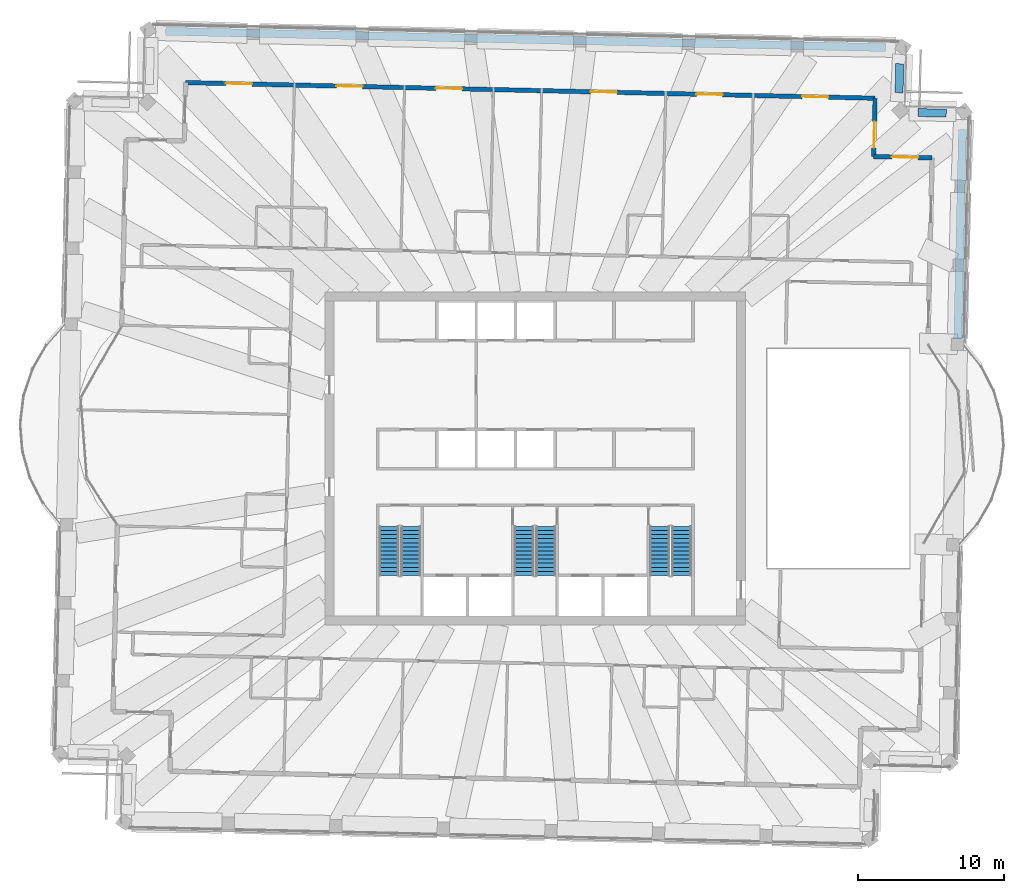
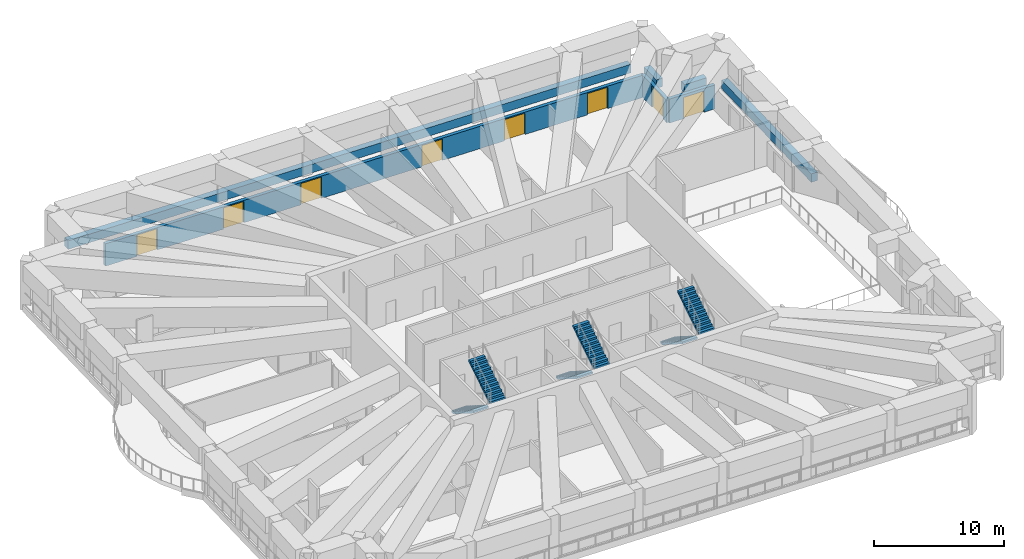
# One storey, part 14 of 21: 8 doors, 7 walls, 6 stair flights, 8 openings, 3 elements without a shape of their own.
"""IFC4 building model written with IfcOpenShell, lengths in metres."""

from ifc_helpers import new_model, si_unit, direction, frame, frame_2d, origin, place, context, subcontext, project, spatial, polyline, rectangle, outline, extrude, material, layer, layer_set, type_object, element, fill, aggregate, save


model = new_model("IFC4")

# Units and contexts
model_context = context("Model", 3, precision=1e-05, world=origin(), true_north=direction((0.0, 1.0)))
body_context = subcontext(model_context, "Body", "Model", "MODEL_VIEW")
ifc_project = project(units=[si_unit("LENGTHUNIT", "METRE"), si_unit("AREAUNIT", "SQUARE_METRE"), si_unit("VOLUMEUNIT", "CUBIC_METRE"), si_unit("PLANEANGLEUNIT", "RADIAN"), si_unit("MASSUNIT", "GRAM", prefix="KILO")], contexts=[model_context])

# Site, building, storey
site_placement = place(None, origin())
site = spatial("IfcSite", under=ifc_project, at=site_placement, CompositionType="ELEMENT")
building_placement = place(site_placement, origin())
building = spatial("IfcBuilding", under=site, at=building_placement, Name="Mangrove Gate Tower", CompositionType="ELEMENT")
storey_placement = place(building_placement, frame((0.0, 0.0, 329.699951171875)))
storey = spatial("IfcBuildingStorey", under=building, at=storey_placement, Name="L84", CompositionType="ELEMENT", Elevation=329.699951171875)

# Wall, opening, door
ifc_material_1 = material(Name="Limestone", Category="masonry")
ifc_layer_1 = layer(ifc_material_1, 0.0400390625, Name="Limestone cladding")
ifc_material_2 = material(Name="Ventilated air gap")
ifc_layer_2 = layer(ifc_material_2, 0.0400390625, Name="Ventilated cavity")
ifc_material_3 = material(Name="Mineral wool insulation")
ifc_layer_3 = layer(ifc_material_3, 0.06005859375, Name="Insulation")
ifc_material_4 = material(Name="Breather membrane")
ifc_layer_4 = layer(ifc_material_4, 0.001953125, Name="Breather membrane")
ifc_material_5 = material(Name="Concrete C20/25 blockwork", Category="masonry")
ifc_layer_5 = layer(ifc_material_5, 0.14990234375, Name="Blockwork backing wall")
ifc_material_6 = material(Name="Gypsum plaster")
ifc_layer_6 = layer(ifc_material_6, 0.008056640625, Name="Internal plaster")
ifc_layer_set_1 = layer_set([ifc_layer_1, ifc_layer_2, ifc_layer_3, ifc_layer_4, ifc_layer_5, ifc_layer_6], Name="External wall 300 limestone cladding")
wall_type_1 = type_object("IfcWallType", Name="External wall 300 limestone cladding", PredefinedType="SOLIDWALL", material=ifc_layer_set_1)
wall_1_placement = place(storey_placement, frame((27.18701171875, 20.60205078125, 0.0), z_axis=(0.0, 0.0, 1.0), x_axis=(-0.999740826251, 0.022765770952, 0.0)))
wall_1 = element("IfcWall", 1, at=wall_1_placement, inside=storey, type_object=wall_type_1, Name="WALL-L84-N3", PredefinedType="SOLIDWALL", context=body_context, shape_type="SweptSolid", body=[
    extrude(rectangle(XDim=4.0, YDim=0.300048828125, at=frame_2d((2.0, 0.0))), origin(), (0.0, 0.0, 1.0), 2.25),
])
opening_1_placement = place(wall_1_placement, frame((0.949951171875, 0.0, 0.0)))
opening_1 = element("IfcOpeningElement", 2, at=opening_1_placement, cuts=wall_1, Name="Opening TD2", PredefinedType="OPENING", context=body_context, shape_type="SweptSolid", body=[
    extrude(rectangle(XDim=1.800048828125, YDim=2.0, at=frame_2d((0.89990234375, 1.0))), frame((0.0, 0.159912109375, 0.0), z_axis=(0.0, -1.0, 0.0), x_axis=(1.0, 0.0, 0.0)), (0.0, 0.0, 1.0), 0.320068359375),
])
ifc_material_7 = material(Name="Aluminium frame with laminated clear glass", Category="aluminium")
door_type = type_object("IfcDoorType", Name="Terrace door 1800x2000", OperationType="DOUBLE_DOOR_SINGLE_SWING", PredefinedType="DOOR", material=ifc_material_7)
door_1_placement = place(opening_1_placement, origin())
door_1 = element("IfcDoor", 3, at=door_1_placement, inside=storey, type_object=door_type, Name="DOOR-L84-N3-1", OperationType="DOUBLE_DOOR_SINGLE_SWING", OverallHeight=2.0, OverallWidth=1.800048828125, PredefinedType="DOOR", context=body_context, shape_type="SweptSolid", body=[
    extrude(rectangle(XDim=1.800048828125, YDim=2.0, at=frame_2d((0.89990234375, 1.0))), frame((0.0, 0.02490234375, 0.0), z_axis=(0.0, -1.0, 0.0), x_axis=(1.0, 0.0, 0.0)), (0.0, 0.0, 1.0), 0.050048828125),
])
fill(opening_1, door_1)

wall_2_placement = place(storey_placement, frame((23.18798828125, 20.693115234375, 0.0), z_axis=(0.0, 0.0, 1.0), x_axis=(0.022772718728, 0.999740668014, 0.0)))
wall_2 = element("IfcWall", 4, at=wall_2_placement, inside=storey, type_object=wall_type_1, Name="WALL-L84-E4", PredefinedType="SOLIDWALL", context=body_context, shape_type="SweptSolid", body=[
    extrude(rectangle(XDim=3.998779296875, YDim=0.300048828125, at=frame_2d((1.99951171875, 0.0))), origin(), (0.0, 0.0, 1.0), 2.10009765625),
])
opening_2_placement = place(wall_2_placement, frame((0.59912109375, 0.0, 0.0)))
opening_2 = element("IfcOpeningElement", 5, at=opening_2_placement, cuts=wall_2, Name="Opening TD2", PredefinedType="OPENING", context=body_context, shape_type="SweptSolid", body=[
    extrude(rectangle(XDim=1.800048828125, YDim=2.0, at=frame_2d((0.89990234375, 1.0))), frame((0.0, 0.159912109375, 0.0), z_axis=(0.0, -1.0, 0.0), x_axis=(1.0, 0.0, 0.0)), (0.0, 0.0, 1.0), 0.320068359375),
])
door_2_placement = place(opening_2_placement, origin())
door_2 = element("IfcDoor", 6, at=door_2_placement, inside=storey, type_object=door_type, Name="DOOR-L84-E4-1", OperationType="DOUBLE_DOOR_SINGLE_SWING", OverallHeight=2.0, OverallWidth=1.800048828125, PredefinedType="DOOR", context=body_context, shape_type="SweptSolid", body=[
    extrude(rectangle(XDim=1.800048828125, YDim=2.0, at=frame_2d((0.89990234375, 1.0))), frame((0.0, 0.02490234375, 0.0), z_axis=(0.0, -1.0, 0.0), x_axis=(1.0, 0.0, 0.0)), (0.0, 0.0, 1.0), 0.050048828125),
])
fill(opening_2, door_2)

# Wall, openings, doors
wall_3_placement = place(storey_placement, frame((23.279052734375, 24.69091796875, 0.0), z_axis=(0.0, 0.0, 1.0), x_axis=(-0.9997425899, 0.022688189451, 0.0)))
wall_3 = element("IfcWall", 7, at=wall_3_placement, inside=storey, type_object=wall_type_1, Name="WALL-L84-N5", PredefinedType="SOLIDWALL", context=body_context, shape_type="SweptSolid", body=[
    extrude(rectangle(XDim=47.250244140625, YDim=0.300048828125, at=frame_2d((23.625, 0.0))), origin(), (0.0, 0.0, 1.0), 2.10009765625),
])
opening_3_placement = place(wall_3_placement, frame((3.199951171875, 0.0, 0.0)))
opening_3 = element("IfcOpeningElement", 8, at=opening_3_placement, cuts=wall_3, Name="Opening TD2", PredefinedType="OPENING", context=body_context, shape_type="SweptSolid", body=[
    extrude(rectangle(XDim=1.800048828125, YDim=2.0, at=frame_2d((0.89990234375, 1.0))), frame((0.0, 0.159912109375, 0.0), z_axis=(0.0, -1.0, 0.0), x_axis=(1.0, 0.0, 0.0)), (0.0, 0.0, 1.0), 0.320068359375),
])
opening_4_placement = place(wall_3_placement, frame((10.449951171875, 0.0, 0.0)))
opening_4 = element("IfcOpeningElement", 9, at=opening_4_placement, cuts=wall_3, Name="Opening TD2", PredefinedType="OPENING", context=body_context, shape_type="SweptSolid", body=[
    extrude(rectangle(XDim=1.800048828125, YDim=2.0, at=frame_2d((0.89990234375, 1.0))), frame((0.0, 0.159912109375, 0.0), z_axis=(0.0, -1.0, 0.0), x_axis=(1.0, 0.0, 0.0)), (0.0, 0.0, 1.0), 0.320068359375),
])
opening_5_placement = place(wall_3_placement, frame((17.699951171875, 0.0, 0.0)))
opening_5 = element("IfcOpeningElement", 10, at=opening_5_placement, cuts=wall_3, Name="Opening TD2", PredefinedType="OPENING", context=body_context, shape_type="SweptSolid", body=[
    extrude(rectangle(XDim=1.800048828125, YDim=2.0, at=frame_2d((0.89990234375, 1.0))), frame((0.0, 0.159912109375, 0.0), z_axis=(0.0, -1.0, 0.0), x_axis=(1.0, 0.0, 0.0)), (0.0, 0.0, 1.0), 0.320068359375),
])
opening_6_placement = place(wall_3_placement, frame((28.300048828125, 0.0, 0.0)))
opening_6 = element("IfcOpeningElement", 11, at=opening_6_placement, cuts=wall_3, Name="Opening TD2", PredefinedType="OPENING", context=body_context, shape_type="SweptSolid", body=[
    extrude(rectangle(XDim=1.800048828125, YDim=2.0, at=frame_2d((0.89990234375, 1.0))), frame((0.0, 0.159912109375, 0.0), z_axis=(0.0, -1.0, 0.0), x_axis=(1.0, 0.0, 0.0)), (0.0, 0.0, 1.0), 0.320068359375),
])
opening_7_placement = place(wall_3_placement, frame((35.125, 0.0, 0.0)))
opening_7 = element("IfcOpeningElement", 12, at=opening_7_placement, cuts=wall_3, Name="Opening TD2", PredefinedType="OPENING", context=body_context, shape_type="SweptSolid", body=[
    extrude(rectangle(XDim=1.800048828125, YDim=2.0, at=frame_2d((0.89990234375, 1.0))), frame((0.0, 0.159912109375, 0.0), z_axis=(0.0, -1.0, 0.0), x_axis=(1.0, 0.0, 0.0)), (0.0, 0.0, 1.0), 0.320068359375),
])
opening_8_placement = place(wall_3_placement, frame((42.699951171875, 0.0, 0.0)))
opening_8 = element("IfcOpeningElement", 13, at=opening_8_placement, cuts=wall_3, Name="Opening TD2", PredefinedType="OPENING", context=body_context, shape_type="SweptSolid", body=[
    extrude(rectangle(XDim=1.800048828125, YDim=2.0, at=frame_2d((0.89990234375, 1.0))), frame((0.0, 0.159912109375, 0.0), z_axis=(0.0, -1.0, 0.0), x_axis=(1.0, 0.0, 0.0)), (0.0, 0.0, 1.0), 0.320068359375),
])
door_3_placement = place(opening_3_placement, origin())
door_3 = element("IfcDoor", 14, at=door_3_placement, inside=storey, type_object=door_type, Name="DOOR-L84-N5-1", OperationType="DOUBLE_DOOR_SINGLE_SWING", OverallHeight=2.0, OverallWidth=1.800048828125, PredefinedType="DOOR", context=body_context, shape_type="SweptSolid", body=[
    extrude(rectangle(XDim=1.800048828125, YDim=2.0, at=frame_2d((0.89990234375, 1.0))), frame((0.0, 0.02490234375, 0.0), z_axis=(0.0, -1.0, 0.0), x_axis=(1.0, 0.0, 0.0)), (0.0, 0.0, 1.0), 0.050048828125),
])
fill(opening_3, door_3)
door_4_placement = place(opening_4_placement, origin())
door_4 = element("IfcDoor", 15, at=door_4_placement, inside=storey, type_object=door_type, Name="DOOR-L84-N5-2", OperationType="DOUBLE_DOOR_SINGLE_SWING", OverallHeight=2.0, OverallWidth=1.800048828125, PredefinedType="DOOR", context=body_context, shape_type="SweptSolid", body=[
    extrude(rectangle(XDim=1.800048828125, YDim=2.0, at=frame_2d((0.89990234375, 1.0))), frame((0.0, 0.02490234375, 0.0), z_axis=(0.0, -1.0, 0.0), x_axis=(1.0, 0.0, 0.0)), (0.0, 0.0, 1.0), 0.050048828125),
])
fill(opening_4, door_4)
door_5_placement = place(opening_5_placement, origin())
door_5 = element("IfcDoor", 16, at=door_5_placement, inside=storey, type_object=door_type, Name="DOOR-L84-N5-3", OperationType="DOUBLE_DOOR_SINGLE_SWING", OverallHeight=2.0, OverallWidth=1.800048828125, PredefinedType="DOOR", context=body_context, shape_type="SweptSolid", body=[
    extrude(rectangle(XDim=1.800048828125, YDim=2.0, at=frame_2d((0.89990234375, 1.0))), frame((0.0, 0.02490234375, 0.0), z_axis=(0.0, -1.0, 0.0), x_axis=(1.0, 0.0, 0.0)), (0.0, 0.0, 1.0), 0.050048828125),
])
fill(opening_5, door_5)
door_6_placement = place(opening_6_placement, origin())
door_6 = element("IfcDoor", 17, at=door_6_placement, inside=storey, type_object=door_type, Name="DOOR-L84-N5-4", OperationType="DOUBLE_DOOR_SINGLE_SWING", OverallHeight=2.0, OverallWidth=1.800048828125, PredefinedType="DOOR", context=body_context, shape_type="SweptSolid", body=[
    extrude(rectangle(XDim=1.800048828125, YDim=2.0, at=frame_2d((0.89990234375, 1.0))), frame((0.0, 0.02490234375, 0.0), z_axis=(0.0, -1.0, 0.0), x_axis=(1.0, 0.0, 0.0)), (0.0, 0.0, 1.0), 0.050048828125),
])
fill(opening_6, door_6)
door_7_placement = place(opening_7_placement, origin())
door_7 = element("IfcDoor", 18, at=door_7_placement, inside=storey, type_object=door_type, Name="DOOR-L84-N5-5", OperationType="DOUBLE_DOOR_SINGLE_SWING", OverallHeight=2.0, OverallWidth=1.800048828125, PredefinedType="DOOR", context=body_context, shape_type="SweptSolid", body=[
    extrude(rectangle(XDim=1.800048828125, YDim=2.0, at=frame_2d((0.89990234375, 1.0))), frame((0.0, 0.02490234375, 0.0), z_axis=(0.0, -1.0, 0.0), x_axis=(1.0, 0.0, 0.0)), (0.0, 0.0, 1.0), 0.050048828125),
])
fill(opening_7, door_7)
door_8_placement = place(opening_8_placement, origin())
door_8 = element("IfcDoor", 19, at=door_8_placement, inside=storey, type_object=door_type, Name="DOOR-L84-N5-6", OperationType="DOUBLE_DOOR_SINGLE_SWING", OverallHeight=2.0, OverallWidth=1.800048828125, PredefinedType="DOOR", context=body_context, shape_type="SweptSolid", body=[
    extrude(rectangle(XDim=1.800048828125, YDim=2.0, at=frame_2d((0.89990234375, 1.0))), frame((0.0, 0.02490234375, 0.0), z_axis=(0.0, -1.0, 0.0), x_axis=(1.0, 0.0, 0.0)), (0.0, 0.0, 1.0), 0.050048828125),
])
fill(opening_8, door_8)

# Walls
ifc_material_8 = material(Name="Concrete C32/40", Category="concrete")
ifc_layer_7 = layer(ifc_material_8, 0.199951171875, Name="Planter trough wall")
ifc_material_9 = material(Name="Bituminous waterproofing membrane")
ifc_layer_8 = layer(ifc_material_9, 0.0048828125, Name="Waterproofing")
ifc_material_10 = material(Name="Drainage board and gravel")
ifc_layer_9 = layer(ifc_material_10, 0.044921875, Name="Drainage layer")
ifc_material_11 = material(Name="Planting soil")
ifc_layer_10 = layer(ifc_material_11, 0.300048828125, Name="Growing medium")
ifc_layer_set_2 = layer_set([ifc_layer_7, ifc_layer_8, ifc_layer_9, ifc_layer_10], Name="Planter wall 550 C32/40")
wall_type_2 = type_object("IfcWallType", Name="Planter wall 550 C32/40", PredefinedType="USERDEFINED", material=ifc_layer_set_2)
wall_4_placement = place(storey_placement, frame((-25.3291015625, 29.280029296875, 0.0), z_axis=(0.0, 0.0, 1.0), x_axis=(0.999742379265, -0.022697469065, 0.0)))
element("IfcWall", 20, at=wall_4_placement, inside=storey, type_object=wall_type_2, Name="PLANTER L84 T1.3.6", ObjectType="PLANTER", PredefinedType="USERDEFINED", context=body_context, shape_type="SweptSolid", body=[
    extrude(rectangle(XDim=49.349853515625, YDim=0.550048828125, at=frame_2d((24.6748046875, 0.0))), origin(), (0.0, 0.0, 1.0), 0.800048828125),
])
wall_5_placement = place(storey_placement, frame((24.968017578125, 27.053955078125, 0.0), z_axis=(0.0, 0.0, 1.0), x_axis=(-0.022601425009, -0.999744555168, 0.0)))
element("IfcWall", 21, at=wall_5_placement, inside=storey, type_object=wall_type_2, Name="PLANTER L84 T1.4.6", ObjectType="PLANTER", PredefinedType="USERDEFINED", context=body_context, shape_type="SweptSolid", body=[
    extrude(rectangle(XDim=1.987548828125, YDim=0.550048828125, at=frame_2d((0.99365234375, 0.0))), origin(), (0.0, 0.0, 1.0), 0.800048828125),
])
wall_6_placement = place(storey_placement, frame((26.219970703125, 23.7099609375, 0.0), z_axis=(0.0, 0.0, 1.0), x_axis=(0.999742745482, -0.022681332769, 0.0)))
element("IfcWall", 22, at=wall_6_placement, inside=storey, type_object=wall_type_2, Name="PLANTER L84 T1.4.9", ObjectType="PLANTER", PredefinedType="USERDEFINED", context=body_context, shape_type="SweptSolid", body=[
    extrude(rectangle(XDim=1.9375, YDim=0.550048828125, at=frame_2d((0.96875, 0.0))), origin(), (0.0, 0.0, 1.0), 0.800048828125),
])
wall_7_placement = place(storey_placement, frame((29.26708984375, 22.554931640625, 0.0), z_axis=(0.0, 0.0, 1.0), x_axis=(-0.022711365364, -0.999742063676, 0.0)))
element("IfcWall", 23, at=wall_7_placement, inside=storey, type_object=wall_type_2, Name="PLANTER L84 T1.5.6", ObjectType="PLANTER", PredefinedType="USERDEFINED", context=body_context, shape_type="SweptSolid", body=[
    extrude(rectangle(XDim=14.361572265625, YDim=0.550048828125, at=frame_2d((7.1806640625, 0.0))), origin(), (0.0, 0.0, 1.0), 0.800048828125),
])

# Stair, stair flights
ifc_material_12 = material(Name="Concrete C40/50", Category="concrete")
stair_type = type_object("IfcStairType", Name="Core stair 1350", PredefinedType="HALF_TURN_STAIR", material=ifc_material_12)
stair_1_placement = place(storey_placement, origin())
stair_1 = element("IfcStair", 24, at=stair_1_placement, inside=storey, type_object=stair_type, Name="L84 Stair 1", PredefinedType="HALF_TURN_STAIR")
ifc_material_13 = material(Name="Concrete C40/50", Category="concrete")
stair_flight_type = type_object("IfcStairFlightType", Name="Core stair flight 1350", PredefinedType="STRAIGHT", material=ifc_material_13)
stair_flight_1_placement = place(storey_placement, frame((-10.02490234375, -4.64990234375, 0.0), z_axis=(0.0, 0.0, 1.0), x_axis=(0.0, -1.0, 0.0)))
stair_flight_1 = element("IfcStairFlight", 25, at=stair_flight_1_placement, type_object=stair_flight_type, Name="ST1 flight 1", NumberOfRisers=13, NumberOfTreads=12, PredefinedType="STRAIGHT", RiserHeight=0.176923077, TreadLength=0.28, context=body_context, shape_type="SweptSolid", body=[
    extrude(outline(polyline([(0.0, 0.0), (0.0, 0.177001953125), (0.280029296875, 0.177001953125), (0.280029296875, 0.353759765625), (0.56005859375, 0.353759765625), (0.56005859375, 0.53076171875), (0.840087890625, 0.53076171875), (0.840087890625, 0.707763671875), (1.1201171875, 0.707763671875), (1.1201171875, 0.884521484375), (1.39990234375, 0.884521484375), (1.39990234375, 1.0615234375), (1.679931640625, 1.0615234375), (1.679931640625, 1.238525390625), (1.9599609375, 1.238525390625), (1.9599609375, 1.415283203125), (2.239990234375, 1.415283203125), (2.239990234375, 1.59228515625), (2.52001953125, 1.59228515625), (2.52001953125, 1.769287109375), (2.800048828125, 1.769287109375), (2.800048828125, 1.946044921875), (3.080078125, 1.946044921875), (3.080078125, 2.123046875), (3.360107421875, 2.123046875), (3.360107421875, 2.300048828125), (3.360107421875, 1.94580078125), (0.280517578125, 0.0), (0.0, 0.0)])), frame((0.0, 0.675048828125, 0.0), z_axis=(0.0, -1.0, 0.0), x_axis=(1.0, 0.0, 0.0)), (0.0, 0.0, 1.0), 1.35009765625),
])
stair_flight_2_placement = place(storey_placement, frame((-8.52490234375, -8.010009765625, 2.300048828125), z_axis=(0.0, 0.0, 1.0), x_axis=(0.0, 1.0, 0.0)))
stair_flight_2 = element("IfcStairFlight", 26, at=stair_flight_2_placement, type_object=stair_flight_type, Name="ST1 flight 2", NumberOfRisers=13, NumberOfTreads=12, PredefinedType="STRAIGHT", RiserHeight=0.176923077, TreadLength=0.28, context=body_context, shape_type="SweptSolid", body=[
    extrude(outline(polyline([(0.0, 0.0), (0.0, 0.177001953125), (0.280029296875, 0.177001953125), (0.280029296875, 0.353759765625), (0.56005859375, 0.353759765625), (0.56005859375, 0.53076171875), (0.840087890625, 0.53076171875), (0.840087890625, 0.707763671875), (1.1201171875, 0.707763671875), (1.1201171875, 0.884521484375), (1.39990234375, 0.884521484375), (1.39990234375, 1.0615234375), (1.679931640625, 1.0615234375), (1.679931640625, 1.238525390625), (1.9599609375, 1.238525390625), (1.9599609375, 1.415283203125), (2.239990234375, 1.415283203125), (2.239990234375, 1.59228515625), (2.52001953125, 1.59228515625), (2.52001953125, 1.769287109375), (2.800048828125, 1.769287109375), (2.800048828125, 1.946044921875), (3.080078125, 1.946044921875), (3.080078125, 2.123046875), (3.360107421875, 2.123046875), (3.360107421875, 2.300048828125), (3.360107421875, 1.94580078125), (0.280517578125, 0.0), (0.0, 0.0)])), frame((0.0, 0.675048828125, 0.0), z_axis=(0.0, -1.0, 0.0), x_axis=(1.0, 0.0, 0.0)), (0.0, 0.0, 1.0), 1.35009765625),
])
aggregate(stair_1, [stair_flight_1, stair_flight_2])

stair_2_placement = place(storey_placement, origin())
stair_2 = element("IfcStair", 27, at=stair_2_placement, inside=storey, type_object=stair_type, Name="L84 Stair 2", PredefinedType="HALF_TURN_STAIR")
stair_flight_3_placement = place(storey_placement, frame((-0.77490234375, -4.64990234375, 0.0), z_axis=(0.0, 0.0, 1.0), x_axis=(0.0, -1.0, 0.0)))
stair_flight_3 = element("IfcStairFlight", 28, at=stair_flight_3_placement, type_object=stair_flight_type, Name="ST2 flight 1", NumberOfRisers=13, NumberOfTreads=12, PredefinedType="STRAIGHT", RiserHeight=0.176923077, TreadLength=0.28, context=body_context, shape_type="SweptSolid", body=[
    extrude(outline(polyline([(0.0, 0.0), (0.0, 0.177001953125), (0.280029296875, 0.177001953125), (0.280029296875, 0.353759765625), (0.56005859375, 0.353759765625), (0.56005859375, 0.53076171875), (0.840087890625, 0.53076171875), (0.840087890625, 0.707763671875), (1.1201171875, 0.707763671875), (1.1201171875, 0.884521484375), (1.39990234375, 0.884521484375), (1.39990234375, 1.0615234375), (1.679931640625, 1.0615234375), (1.679931640625, 1.238525390625), (1.9599609375, 1.238525390625), (1.9599609375, 1.415283203125), (2.239990234375, 1.415283203125), (2.239990234375, 1.59228515625), (2.52001953125, 1.59228515625), (2.52001953125, 1.769287109375), (2.800048828125, 1.769287109375), (2.800048828125, 1.946044921875), (3.080078125, 1.946044921875), (3.080078125, 2.123046875), (3.360107421875, 2.123046875), (3.360107421875, 2.300048828125), (3.360107421875, 1.94580078125), (0.280517578125, 0.0), (0.0, 0.0)])), frame((0.0, 0.675048828125, 0.0), z_axis=(0.0, -1.0, 0.0), x_axis=(1.0, 0.0, 0.0)), (0.0, 0.0, 1.0), 1.35009765625),
])
stair_flight_4_placement = place(storey_placement, frame((0.72509765625, -8.010009765625, 2.300048828125), z_axis=(0.0, 0.0, 1.0), x_axis=(0.0, 1.0, 0.0)))
stair_flight_4 = element("IfcStairFlight", 29, at=stair_flight_4_placement, type_object=stair_flight_type, Name="ST2 flight 2", NumberOfRisers=13, NumberOfTreads=12, PredefinedType="STRAIGHT", RiserHeight=0.176923077, TreadLength=0.28, context=body_context, shape_type="SweptSolid", body=[
    extrude(outline(polyline([(0.0, 0.0), (0.0, 0.177001953125), (0.280029296875, 0.177001953125), (0.280029296875, 0.353759765625), (0.56005859375, 0.353759765625), (0.56005859375, 0.53076171875), (0.840087890625, 0.53076171875), (0.840087890625, 0.707763671875), (1.1201171875, 0.707763671875), (1.1201171875, 0.884521484375), (1.39990234375, 0.884521484375), (1.39990234375, 1.0615234375), (1.679931640625, 1.0615234375), (1.679931640625, 1.238525390625), (1.9599609375, 1.238525390625), (1.9599609375, 1.415283203125), (2.239990234375, 1.415283203125), (2.239990234375, 1.59228515625), (2.52001953125, 1.59228515625), (2.52001953125, 1.769287109375), (2.800048828125, 1.769287109375), (2.800048828125, 1.946044921875), (3.080078125, 1.946044921875), (3.080078125, 2.123046875), (3.360107421875, 2.123046875), (3.360107421875, 2.300048828125), (3.360107421875, 1.94580078125), (0.280517578125, 0.0), (0.0, 0.0)])), frame((0.0, 0.675048828125, 0.0), z_axis=(0.0, -1.0, 0.0), x_axis=(1.0, 0.0, 0.0)), (0.0, 0.0, 1.0), 1.35009765625),
])
aggregate(stair_2, [stair_flight_3, stair_flight_4])

stair_3_placement = place(storey_placement, origin())
stair_3 = element("IfcStair", 30, at=stair_3_placement, inside=storey, type_object=stair_type, Name="L84 Stair 3", PredefinedType="HALF_TURN_STAIR")
stair_flight_5_placement = place(storey_placement, frame((8.52490234375, -4.64990234375, 0.0), z_axis=(0.0, 0.0, 1.0), x_axis=(0.0, -1.0, 0.0)))
stair_flight_5 = element("IfcStairFlight", 31, at=stair_flight_5_placement, type_object=stair_flight_type, Name="ST3 flight 1", NumberOfRisers=13, NumberOfTreads=12, PredefinedType="STRAIGHT", RiserHeight=0.176923077, TreadLength=0.28, context=body_context, shape_type="SweptSolid", body=[
    extrude(outline(polyline([(0.0, 0.0), (0.0, 0.177001953125), (0.280029296875, 0.177001953125), (0.280029296875, 0.353759765625), (0.56005859375, 0.353759765625), (0.56005859375, 0.53076171875), (0.840087890625, 0.53076171875), (0.840087890625, 0.707763671875), (1.1201171875, 0.707763671875), (1.1201171875, 0.884521484375), (1.39990234375, 0.884521484375), (1.39990234375, 1.0615234375), (1.679931640625, 1.0615234375), (1.679931640625, 1.238525390625), (1.9599609375, 1.238525390625), (1.9599609375, 1.415283203125), (2.239990234375, 1.415283203125), (2.239990234375, 1.59228515625), (2.52001953125, 1.59228515625), (2.52001953125, 1.769287109375), (2.800048828125, 1.769287109375), (2.800048828125, 1.946044921875), (3.080078125, 1.946044921875), (3.080078125, 2.123046875), (3.360107421875, 2.123046875), (3.360107421875, 2.300048828125), (3.360107421875, 1.94580078125), (0.280517578125, 0.0), (0.0, 0.0)])), frame((0.0, 0.675048828125, 0.0), z_axis=(0.0, -1.0, 0.0), x_axis=(1.0, 0.0, 0.0)), (0.0, 0.0, 1.0), 1.35009765625),
])
stair_flight_6_placement = place(storey_placement, frame((10.02490234375, -8.010009765625, 2.300048828125), z_axis=(0.0, 0.0, 1.0), x_axis=(0.0, 1.0, 0.0)))
stair_flight_6 = element("IfcStairFlight", 32, at=stair_flight_6_placement, type_object=stair_flight_type, Name="ST3 flight 2", NumberOfRisers=13, NumberOfTreads=12, PredefinedType="STRAIGHT", RiserHeight=0.176923077, TreadLength=0.28, context=body_context, shape_type="SweptSolid", body=[
    extrude(outline(polyline([(0.0, 0.0), (0.0, 0.177001953125), (0.280029296875, 0.177001953125), (0.280029296875, 0.353759765625), (0.56005859375, 0.353759765625), (0.56005859375, 0.53076171875), (0.840087890625, 0.53076171875), (0.840087890625, 0.707763671875), (1.1201171875, 0.707763671875), (1.1201171875, 0.884521484375), (1.39990234375, 0.884521484375), (1.39990234375, 1.0615234375), (1.679931640625, 1.0615234375), (1.679931640625, 1.238525390625), (1.9599609375, 1.238525390625), (1.9599609375, 1.415283203125), (2.239990234375, 1.415283203125), (2.239990234375, 1.59228515625), (2.52001953125, 1.59228515625), (2.52001953125, 1.769287109375), (2.800048828125, 1.769287109375), (2.800048828125, 1.946044921875), (3.080078125, 1.946044921875), (3.080078125, 2.123046875), (3.360107421875, 2.123046875), (3.360107421875, 2.300048828125), (3.360107421875, 1.94580078125), (0.280517578125, 0.0), (0.0, 0.0)])), frame((0.0, 0.675048828125, 0.0), z_axis=(0.0, -1.0, 0.0), x_axis=(1.0, 0.0, 0.0)), (0.0, 0.0, 1.0), 1.35009765625),
])
aggregate(stair_3, [stair_flight_5, stair_flight_6])

save(model, "model.ifc")
